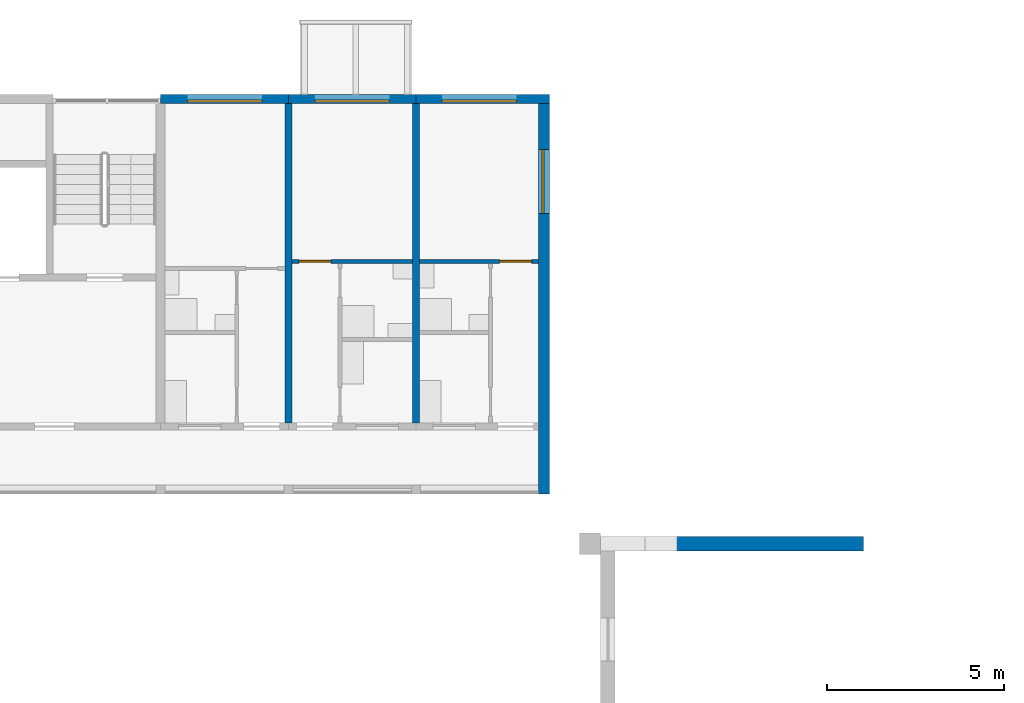
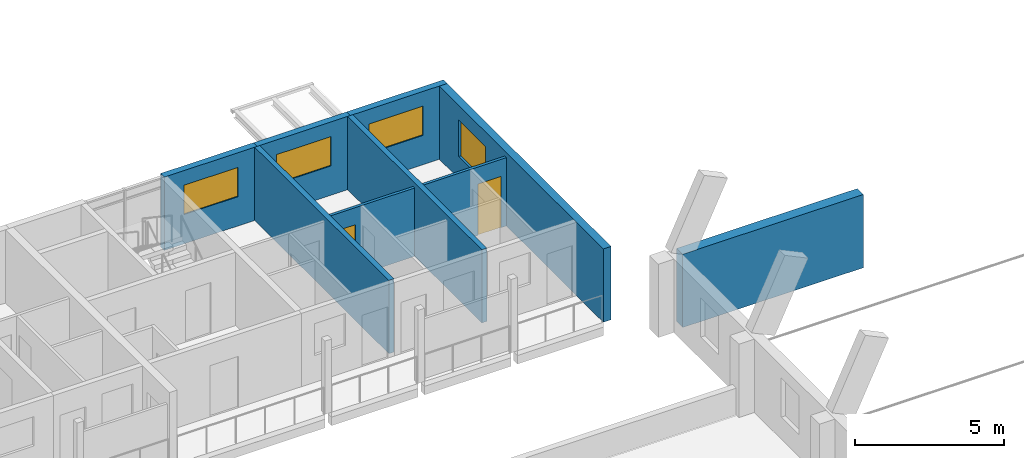
# One storey, part 55 of 115: 9 walls, 4 windows, 2 doors, 6 openings.
"""IFC4 building model written with IfcOpenShell, lengths in metres."""

from ifc_helpers import new_model, si_unit, direction, frame, frame_2d, origin, place, context, subcontext, project, spatial, rectangle, extrude, material, layer, layer_set, type_object, element, fill, save


model = new_model("IFC4")

# Units and contexts
model_context = context("Model", 3, precision=1e-05, world=origin(), true_north=direction((0.0, 1.0)))
body_context = subcontext(model_context, "Body", "Model", "MODEL_VIEW")
ifc_project = project(units=[si_unit("LENGTHUNIT", "METRE"), si_unit("AREAUNIT", "SQUARE_METRE"), si_unit("VOLUMEUNIT", "CUBIC_METRE"), si_unit("PLANEANGLEUNIT", "RADIAN"), si_unit("MASSUNIT", "GRAM", prefix="KILO")], contexts=[model_context])

# Site, building, storey
site_placement = place(None, origin())
site = spatial("IfcSite", under=ifc_project, at=site_placement, CompositionType="ELEMENT")
building_placement = place(site_placement, origin())
building = spatial("IfcBuilding", under=site, at=building_placement, Name="Ridgestep Commons", CompositionType="ELEMENT")
storey_placement = place(building_placement, frame((0.0, 0.0, 6.0)))
storey = spatial("IfcBuildingStorey", under=building, at=storey_placement, Name="L02", CompositionType="ELEMENT", Elevation=6.0)

# Walls
ifc_material_1 = material(Name="Precast concrete C40/50", Category="concrete")
ifc_layer_1 = layer(ifc_material_1, 0.199951171875)
ifc_layer_set_1 = layer_set([ifc_layer_1], Name="Cross wall 200")
wall_type_1 = type_object("IfcWallType", Name="Cross wall 200", PredefinedType="SHEAR", material=ifc_layer_set_1)
for number, where, z_axis, x_axis, name in (
    (1, (105.60009765625, 68.0, 0.0), (0.0, 0.0, 1.0), (0.0, 1.0, 0.0), "Cross wall B-02-1056"),
    (2, (109.199951171875, 68.0, 0.0), (0.0, 0.0, 1.0), (0.0, 1.0, 0.0), "Cross wall B-02-1092"),
):
    element("IfcWall", number, at=place(storey_placement, frame(where, z_axis=z_axis, x_axis=x_axis)), inside=storey, type_object=wall_type_1, Name=name, PredefinedType="SHEAR", context=body_context, shape_type="SweptSolid", body=[
        extrude(rectangle(XDim=9.0, YDim=0.199951171875, at=frame_2d((4.5, 0.0))), origin(), (0.0, 0.0, 1.0), 3.0),
    ])

# Wall, opening, window
ifc_material_2 = material(Name="Precast concrete C40/50", Category="concrete")
ifc_layer_2 = layer(ifc_material_2, 0.300048828125)
ifc_layer_set_2 = layer_set([ifc_layer_2], Name="Exposed division wall 300")
wall_type_2 = type_object("IfcWallType", Name="Exposed division wall 300", PredefinedType="SHEAR", material=ifc_layer_set_2)
wall_1_placement = place(storey_placement, frame((112.800048828125, 66.0, 0.0), z_axis=(0.0, 0.0, 1.0), x_axis=(0.0, 1.0, 0.0)))
wall_1 = element("IfcWall", 3, at=wall_1_placement, inside=storey, type_object=wall_type_2, Name="Cross wall B-02-1128", PredefinedType="SHEAR", context=body_context, shape_type="SweptSolid", body=[
    extrude(rectangle(XDim=11.0, YDim=0.300048828125, at=frame_2d((5.5, 0.0))), origin(), (0.0, 0.0, 1.0), 3.0),
])
opening_1_placement = place(wall_1_placement, frame((7.905029296875, 0.0, 0.89990234375)))
opening_1 = element("IfcOpeningElement", 4, at=opening_1_placement, cuts=wall_1, Name="Opening W20", PredefinedType="OPENING", context=body_context, shape_type="SweptSolid", body=[
    extrude(rectangle(XDim=1.800048828125, YDim=1.5, at=frame_2d((0.89990234375, 0.75))), frame((0.0, 0.159912109375, 0.0), z_axis=(0.0, -1.0, 0.0), x_axis=(1.0, 0.0, 0.0)), (0.0, 0.0, 1.0), 0.320068359375),
])
ifc_material_3 = material(Name="Aluminium 6063-T6 and glass", Category="aluminium")
window_type_1 = type_object("IfcWindowType", Name="Flat window 1800 x 1500", PartitioningType="DOUBLE_PANEL_VERTICAL", PredefinedType="WINDOW", material=ifc_material_3)
window_1_placement = place(opening_1_placement, origin())
window_1 = element("IfcWindow", 5, at=window_1_placement, inside=storey, type_object=window_type_1, Name="Window B6-02a 3", OverallHeight=1.5, OverallWidth=1.800048828125, PartitioningType="SINGLE_PANEL", PredefinedType="WINDOW", context=body_context, shape_type="SweptSolid", body=[
    extrude(rectangle(XDim=1.800048828125, YDim=1.5, at=frame_2d((0.89990234375, 0.75))), frame((0.0, 0.06005859375, 0.0), z_axis=(0.0, -1.0, 0.0), x_axis=(1.0, 0.0, 0.0)), (0.0, 0.0, 1.0), 0.06005859375),
])
fill(opening_1, window_1)

# Wall
ifc_material_4 = material(Name="Precast concrete C40/50", Category="concrete")
ifc_layer_3 = layer(ifc_material_4, 0.39990234375)
ifc_layer_set_3 = layer_set([ifc_layer_3], Name="Hall wall 400")
wall_type_3 = type_object("IfcWallType", Name="Hall wall 400", PredefinedType="SOLIDWALL", material=ifc_layer_set_3)
wall_2_placement = place(storey_placement, frame((114.800048828125, 64.60009765625, 0.0), z_axis=(0.0, 0.0, 1.0), x_axis=(1.0, 0.0, 0.0)))
element("IfcWall", 6, at=wall_2_placement, inside=storey, type_object=wall_type_3, Name="Hall wall 400", PredefinedType="SOLIDWALL", context=body_context, shape_type="SweptSolid", body=[
    extrude(rectangle(XDim=7.0, YDim=0.39990234375, at=frame_2d((3.5, 0.0))), origin(), (0.0, 0.0, 1.0), 3.0),
])

# Wall, opening, window
ifc_material_5 = material(Name="Precast concrete C40/50", Category="concrete")
ifc_layer_4 = layer(ifc_material_5, 0.25)
ifc_layer_set_4 = layer_set([ifc_layer_4], Name="North facade panel 250")
wall_type_4 = type_object("IfcWallType", Name="North facade panel 250", PredefinedType="SOLIDWALL", material=ifc_layer_set_4)
wall_3_placement = place(storey_placement, frame((102.0, 77.125, 0.0), z_axis=(0.0, 0.0, 1.0), x_axis=(1.0, 0.0, 0.0)))
wall_3 = element("IfcWall", 7, at=wall_3_placement, inside=storey, type_object=wall_type_4, Name="North panel B6T3 L02", PredefinedType="SOLIDWALL", context=body_context, shape_type="SweptSolid", body=[
    extrude(rectangle(XDim=3.60009765625, YDim=0.25, at=frame_2d((1.800048828125, 0.0))), origin(), (0.0, 0.0, 1.0), 3.0),
])
opening_2_placement = place(wall_3_placement, frame((0.762451171875, 0.0, 1.199951171875)))
opening_2 = element("IfcOpeningElement", 8, at=opening_2_placement, cuts=wall_3, Name="Opening W22", PredefinedType="OPENING", context=body_context, shape_type="SweptSolid", body=[
    extrude(rectangle(XDim=2.10009765625, YDim=1.199951171875, at=frame_2d((1.050048828125, 0.60009765625))), frame((0.0, 0.135009765625, 0.0), z_axis=(0.0, -1.0, 0.0), x_axis=(1.0, 0.0, 0.0)), (0.0, 0.0, 1.0), 0.27001953125),
])
ifc_material_6 = material(Name="Aluminium 6063-T6 and glass", Category="aluminium")
window_type_2 = type_object("IfcWindowType", Name="Flat window 2100 x 1200", PartitioningType="DOUBLE_PANEL_VERTICAL", PredefinedType="WINDOW", material=ifc_material_6)
window_2_placement = place(opening_2_placement, origin())
window_2 = element("IfcWindow", 9, at=window_2_placement, inside=storey, type_object=window_type_2, Name="Window B6-02c 2", OverallHeight=1.199951171875, OverallWidth=2.10009765625, PartitioningType="SINGLE_PANEL", PredefinedType="WINDOW", context=body_context, shape_type="SweptSolid", body=[
    extrude(rectangle(XDim=2.10009765625, YDim=1.199951171875, at=frame_2d((1.050048828125, 0.60009765625))), frame((0.0, -0.02490234375, 0.0), z_axis=(0.0, -1.0, 0.0), x_axis=(1.0, 0.0, 0.0)), (0.0, 0.0, 1.0), 0.06005859375),
])
fill(opening_2, window_2)

wall_4_placement = place(storey_placement, frame((105.60009765625, 77.125, 0.0), z_axis=(0.0, 0.0, 1.0), x_axis=(1.0, 0.0, 0.0)))
wall_4 = element("IfcWall", 10, at=wall_4_placement, inside=storey, type_object=wall_type_4, Name="North panel B6T2 L02", PredefinedType="SOLIDWALL", context=body_context, shape_type="SweptSolid", body=[
    extrude(rectangle(XDim=3.599853515625, YDim=0.25, at=frame_2d((1.7998046875, 0.0))), origin(), (0.0, 0.0, 1.0), 3.0),
])
opening_3_placement = place(wall_4_placement, frame((0.75, 0.0, 1.199951171875)))
opening_3 = element("IfcOpeningElement", 11, at=opening_3_placement, cuts=wall_4, Name="Opening W22", PredefinedType="OPENING", context=body_context, shape_type="SweptSolid", body=[
    extrude(rectangle(XDim=2.10009765625, YDim=1.199951171875, at=frame_2d((1.050048828125, 0.60009765625))), frame((0.0, 0.135009765625, 0.0), z_axis=(0.0, -1.0, 0.0), x_axis=(1.0, 0.0, 0.0)), (0.0, 0.0, 1.0), 0.27001953125),
])
window_3_placement = place(opening_3_placement, origin())
window_3 = element("IfcWindow", 12, at=window_3_placement, inside=storey, type_object=window_type_2, Name="Window B6-02b 2", OverallHeight=1.199951171875, OverallWidth=2.10009765625, PartitioningType="SINGLE_PANEL", PredefinedType="WINDOW", context=body_context, shape_type="SweptSolid", body=[
    extrude(rectangle(XDim=2.10009765625, YDim=1.199951171875, at=frame_2d((1.050048828125, 0.60009765625))), frame((0.0, -0.02490234375, 0.0), z_axis=(0.0, -1.0, 0.0), x_axis=(1.0, 0.0, 0.0)), (0.0, 0.0, 1.0), 0.06005859375),
])
fill(opening_3, window_3)

wall_5_placement = place(storey_placement, frame((109.199951171875, 77.125, 0.0), z_axis=(0.0, 0.0, 1.0), x_axis=(1.0, 0.0, 0.0)))
wall_5 = element("IfcWall", 13, at=wall_5_placement, inside=storey, type_object=wall_type_4, Name="North panel B6T1 L02", PredefinedType="SOLIDWALL", context=body_context, shape_type="SweptSolid", body=[
    extrude(rectangle(XDim=3.75, YDim=0.25, at=frame_2d((1.875, 0.0))), origin(), (0.0, 0.0, 1.0), 3.0),
])
opening_4_placement = place(wall_5_placement, frame((0.72509765625, 0.0, 1.199951171875)))
opening_4 = element("IfcOpeningElement", 14, at=opening_4_placement, cuts=wall_5, Name="Opening W22", PredefinedType="OPENING", context=body_context, shape_type="SweptSolid", body=[
    extrude(rectangle(XDim=2.10009765625, YDim=1.199951171875, at=frame_2d((1.050048828125, 0.60009765625))), frame((0.0, 0.135009765625, 0.0), z_axis=(0.0, -1.0, 0.0), x_axis=(1.0, 0.0, 0.0)), (0.0, 0.0, 1.0), 0.27001953125),
])
window_4_placement = place(opening_4_placement, origin())
window_4 = element("IfcWindow", 15, at=window_4_placement, inside=storey, type_object=window_type_2, Name="Window B6-02a 2", OverallHeight=1.199951171875, OverallWidth=2.10009765625, PartitioningType="SINGLE_PANEL", PredefinedType="WINDOW", context=body_context, shape_type="SweptSolid", body=[
    extrude(rectangle(XDim=2.10009765625, YDim=1.199951171875, at=frame_2d((1.050048828125, 0.60009765625))), frame((0.0, -0.02490234375, 0.0), z_axis=(0.0, -1.0, 0.0), x_axis=(1.0, 0.0, 0.0)), (0.0, 0.0, 1.0), 0.06005859375),
])
fill(opening_4, window_4)

# Wall, opening, door
ifc_material_7 = material(Name="Common brick 110 mm", Category="masonry")
ifc_layer_5 = layer(ifc_material_7, 0.110107421875)
ifc_layer_set_5 = layer_set([ifc_layer_5], Name="Partition 110")
wall_type_5 = type_object("IfcWallType", Name="Partition 110", PredefinedType="PARTITIONING", material=ifc_layer_set_5)
wall_6_placement = place(storey_placement, frame((109.300048828125, 72.554931640625, 0.0), z_axis=(0.0, 0.0, 1.0), x_axis=(1.0, 0.0, 0.0)))
wall_6 = element("IfcWall", 16, at=wall_6_placement, inside=storey, type_object=wall_type_5, Name="Partition B6-02a", PredefinedType="PARTITIONING", context=body_context, shape_type="SweptSolid", body=[
    extrude(rectangle(XDim=3.349853515625, YDim=0.110107421875, at=frame_2d((1.6748046875, 0.0))), origin(), (0.0, 0.0, 1.0), 2.800048828125),
])
opening_5_placement = place(wall_6_placement, frame((2.25, 0.0, 0.0)))
opening_5 = element("IfcOpeningElement", 17, at=opening_5_placement, cuts=wall_6, Name="Opening B6-02a/4", PredefinedType="OPENING", context=body_context, shape_type="SweptSolid", body=[
    extrude(rectangle(XDim=0.89990234375, YDim=2.10009765625, at=frame_2d((0.449951171875, 1.050048828125))), frame((0.0, 0.06494140625, 0.0), z_axis=(0.0, -1.0, 0.0), x_axis=(1.0, 0.0, 0.0)), (0.0, 0.0, 1.0), 0.130126953125),
])
ifc_material_8 = material(Name="Timber door leaf", Category="wood")
door_type = type_object("IfcDoorType", Name="Internal door 900 x 2100", OperationType="NOTDEFINED", PredefinedType="DOOR", material=ifc_material_8)
door_1_placement = place(opening_5_placement, origin())
door_1 = element("IfcDoor", 18, at=door_1_placement, inside=storey, type_object=door_type, Name="Internal door B6-02a/4", OperationType="SINGLE_SWING_RIGHT", OverallHeight=2.10009765625, OverallWidth=0.89990234375, PredefinedType="DOOR", context=body_context, shape_type="SweptSolid", body=[
    extrude(rectangle(XDim=0.89990234375, YDim=2.10009765625, at=frame_2d((0.449951171875, 1.050048828125))), frame((0.0, 0.02490234375, 0.0), z_axis=(0.0, -1.0, 0.0), x_axis=(1.0, 0.0, 0.0)), (0.0, 0.0, 1.0), 0.050048828125),
])
fill(opening_5, door_1)

wall_7_placement = place(storey_placement, frame((105.699951171875, 72.554931640625, 0.0), z_axis=(0.0, 0.0, 1.0), x_axis=(1.0, 0.0, 0.0)))
wall_7 = element("IfcWall", 19, at=wall_7_placement, inside=storey, type_object=wall_type_5, Name="Partition B6-02b", PredefinedType="PARTITIONING", context=body_context, shape_type="SweptSolid", body=[
    extrude(rectangle(XDim=3.400146484375, YDim=0.110107421875, at=frame_2d((1.7001953125, 0.0))), origin(), (0.0, 0.0, 1.0), 2.800048828125),
])
opening_6_placement = place(wall_7_placement, frame((0.199951171875, 0.0, 0.0)))
opening_6 = element("IfcOpeningElement", 20, at=opening_6_placement, cuts=wall_7, Name="Opening B6-02b/4", PredefinedType="OPENING", context=body_context, shape_type="SweptSolid", body=[
    extrude(rectangle(XDim=0.89990234375, YDim=2.10009765625, at=frame_2d((0.449951171875, 1.050048828125))), frame((0.0, 0.06494140625, 0.0), z_axis=(0.0, -1.0, 0.0), x_axis=(1.0, 0.0, 0.0)), (0.0, 0.0, 1.0), 0.130126953125),
])
door_2_placement = place(opening_6_placement, origin())
door_2 = element("IfcDoor", 21, at=door_2_placement, inside=storey, type_object=door_type, Name="Internal door B6-02b/4", OperationType="SINGLE_SWING_RIGHT", OverallHeight=2.10009765625, OverallWidth=0.89990234375, PredefinedType="DOOR", context=body_context, shape_type="SweptSolid", body=[
    extrude(rectangle(XDim=0.89990234375, YDim=2.10009765625, at=frame_2d((0.449951171875, 1.050048828125))), frame((0.0, 0.02490234375, 0.0), z_axis=(0.0, -1.0, 0.0), x_axis=(1.0, 0.0, 0.0)), (0.0, 0.0, 1.0), 0.050048828125),
])
fill(opening_6, door_2)

save(model, "model.ifc")
